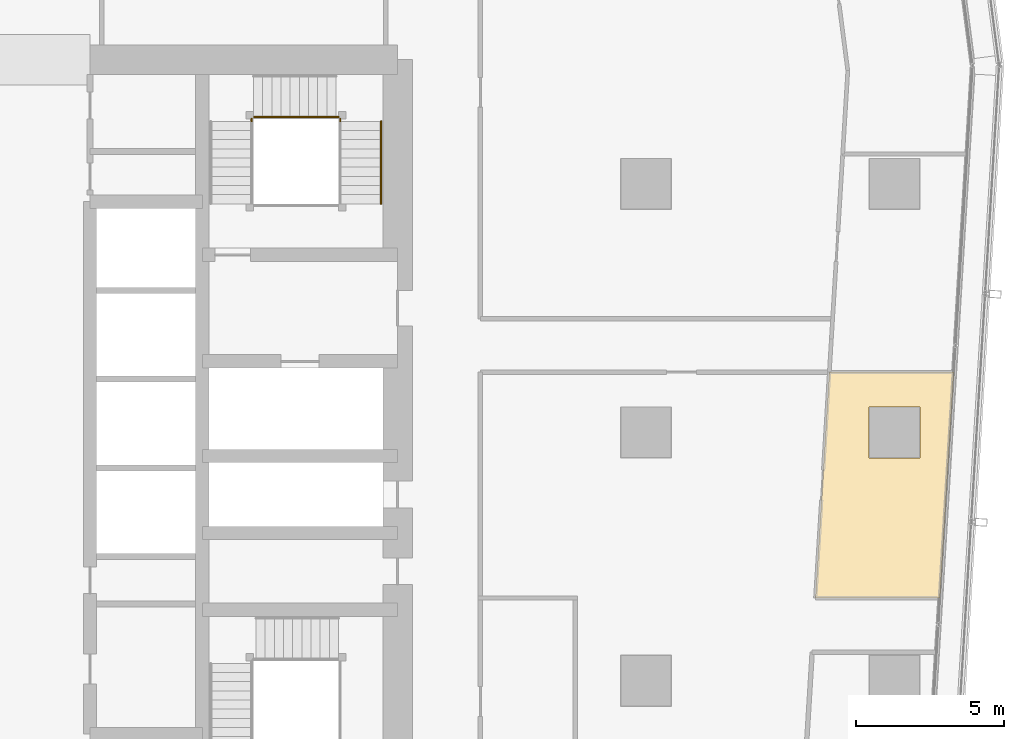
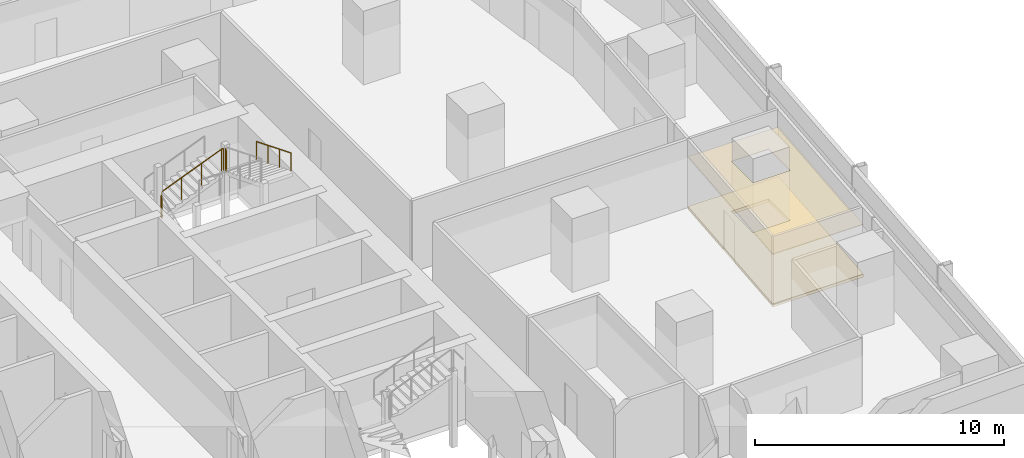
# One storey, part 39 of 40: 5 railings, 2 coverings.
"""IFC4 building model written with IfcOpenShell, lengths in metres."""

from ifc_helpers import new_model, si_unit, direction, frame, origin, origin_2d, place, context, subcontext, project, spatial, polyline, circle, outline, extrude, material, layer, layer_set, type_object, element, save


model = new_model("IFC4")

# Units and contexts
model_context = context("Model", 3, precision=1e-05, world=origin(), true_north=direction((0.0, 1.0)))
body_context = subcontext(model_context, "Body", "Model", "MODEL_VIEW")
ifc_project = project(units=[si_unit("LENGTHUNIT", "METRE"), si_unit("AREAUNIT", "SQUARE_METRE"), si_unit("VOLUMEUNIT", "CUBIC_METRE"), si_unit("PLANEANGLEUNIT", "RADIAN"), si_unit("MASSUNIT", "GRAM", prefix="KILO")], contexts=[model_context])

# Site, building, storey
site_placement = place(None, origin())
site = spatial("IfcSite", under=ifc_project, at=site_placement, CompositionType="ELEMENT")
building_placement = place(site_placement, origin())
building = spatial("IfcBuilding", under=site, at=building_placement, Name="Rekha Terrace Tower", CompositionType="ELEMENT")
storey_placement = place(building_placement, frame((0.0, 0.0, 121.550048828125)))
storey = spatial("IfcBuildingStorey", under=building, at=storey_placement, Name="L30", CompositionType="ELEMENT", Elevation=121.550048828125)

# Covering
ifc_material_1 = material(Name="Mineral fibre tile in exposed grid", Category="finish")
ifc_layer_1 = layer(ifc_material_1, 0.02001953125)
ifc_layer_set_1 = layer_set([ifc_layer_1], Name="Mineral fibre tile in exposed grid")
covering_type_1 = type_object("IfcCoveringType", Name="CL1 600x1200 office grid ceiling", PredefinedType="CEILING", material=ifc_layer_set_1)
covering_1_placement = place(storey_placement, frame((0.0, 0.0, 2.579833984375)))
element("IfcCovering", 1, at=covering_1_placement, inside=storey, type_object=covering_type_1, Name="Ceiling L30-02", PredefinedType="CEILING", context=body_context, shape_type="SweptSolid", body=[
    extrude(outline(polyline([(68.735107421875, 28.0009765625), (69.202880859375, 35.633056640625), (64.9951171875, 35.633056640625), (64.527099609375, 28.0009765625), (68.735107421875, 28.0009765625)]), holes=[polyline([(68.06494140625, 34.465087890625), (68.06494140625, 32.735107421875), (66.3349609375, 32.735107421875), (66.3349609375, 34.465087890625), (68.06494140625, 34.465087890625)])]), origin(), (0.0, 0.0, 1.0), 0.02001953125),
])

# Railings
ifc_material_2 = material(Name="Stainless steel balustrade", Category="steel")
railing_type_1 = type_object("IfcRailingType", Name="GR1 1100 stair guard", PredefinedType="GUARDRAIL", material=ifc_material_2)
railing_1_placement = place(storey_placement, frame((45.52490234375, 44.260009765625, 1.375)))
element("IfcRailing", 2, at=railing_1_placement, inside=storey, type_object=railing_type_1, Name="Guard ST2 L30 flight 2", PredefinedType="GUARDRAIL", context=body_context, shape_type="SweptSolid", body=[
    extrude(circle(Radius=0.02392578125, at=origin_2d()), frame((0.0, 0.0, 1.076171875), z_axis=(0.927443287984, 0.0, 0.373963831907), x_axis=(0.0, 1.0, 0.0)), (0.0, 0.0, 1.0), 3.00830078125),
    extrude(circle(Radius=0.02099609375, at=origin_2d()), origin(), (0.0, 0.0, 1.0), 1.052001953125),
    extrude(circle(Radius=0.02099609375, at=origin_2d()), frame((0.929931640625, 0.0, 0.375)), (0.0, 0.0, 1.0), 1.052001953125),
    extrude(circle(Radius=0.02099609375, at=origin_2d()), frame((1.860107421875, 0.0, 0.75)), (0.0, 0.0, 1.0), 1.052001953125),
    extrude(circle(Radius=0.02099609375, at=origin_2d()), frame((2.7900390625, 0.0, 1.125)), (0.0, 0.0, 1.0), 1.052001953125),
])
railing_2_placement = place(storey_placement, frame((45.465087890625, 44.114990234375, 1.25)))
element("IfcRailing", 3, at=railing_2_placement, inside=storey, type_object=railing_type_1, Name="Guard ST2 L30 landing 1", PredefinedType="GUARDRAIL", context=body_context, shape_type="SweptSolid", body=[
    extrude(circle(Radius=0.02392578125, at=origin_2d()), frame((0.0, 0.0, 1.076171875), z_axis=(0.0, 1.0, 0.0), x_axis=(-1.0, 0.0, 0.0)), (0.0, 0.0, 1.0), 0.0849609375),
    extrude(circle(Radius=0.02099609375, at=origin_2d()), origin(), (0.0, 0.0, 1.0), 1.052001953125),
    extrude(circle(Radius=0.02099609375, at=origin_2d()), frame((0.0, 0.0849609375, 0.0)), (0.0, 0.0, 1.0), 1.052001953125),
])
railing_3_placement = place(storey_placement, frame((48.31494140625, 44.260009765625, 2.5)))
element("IfcRailing", 4, at=railing_3_placement, inside=storey, type_object=railing_type_1, Name="Guard ST2 L30 landing 2", PredefinedType="GUARDRAIL", context=body_context, shape_type="SweptSolid", body=[
    extrude(circle(Radius=0.02392578125, at=origin_2d()), frame((0.0, 0.0, 1.076171875), z_axis=(1.0, 0.0, 0.0), x_axis=(0.0, 1.0, 0.0)), (0.0, 0.0, 1.0), 0.0849609375),
    extrude(circle(Radius=0.02099609375, at=origin_2d()), origin(), (0.0, 0.0, 1.0), 1.052001953125),
    extrude(circle(Radius=0.02099609375, at=origin_2d()), frame((0.0849609375, 0.0, 0.0)), (0.0, 0.0, 1.0), 1.052001953125),
])
railing_4_placement = place(storey_placement, frame((48.4599609375, 44.114990234375, 2.5)))
element("IfcRailing", 5, at=railing_4_placement, inside=storey, type_object=railing_type_1, Name="Guard ST2 L30 landing 3", PredefinedType="GUARDRAIL", context=body_context, shape_type="SweptSolid", body=[
    extrude(circle(Radius=0.02392578125, at=origin_2d()), frame((0.0, 0.0, 1.076171875), z_axis=(0.0, 1.0, 0.0), x_axis=(-1.0, 0.0, 0.0)), (0.0, 0.0, 1.0), 0.0849609375),
    extrude(circle(Radius=0.02099609375, at=origin_2d()), origin(), (0.0, 0.0, 1.0), 1.052001953125),
    extrude(circle(Radius=0.02099609375, at=origin_2d()), frame((0.0, 0.0849609375, 0.0)), (0.0, 0.0, 1.0), 1.052001953125),
])
ifc_material_3 = material(Name="Stainless steel tube", Category="steel")
railing_type_2 = type_object("IfcRailingType", Name="HR1 900 stair handrail", PredefinedType="HANDRAIL", material=ifc_material_3)
railing_5_placement = place(storey_placement, frame((49.840087890625, 44.114990234375, 2.625)))
element("IfcRailing", 6, at=railing_5_placement, inside=storey, type_object=railing_type_2, Name="Handrail ST2 L30 flight 3", PredefinedType="HANDRAIL", context=body_context, shape_type="SweptSolid", body=[
    extrude(circle(Radius=0.02392578125, at=origin_2d()), frame((0.0, 0.0, 0.8759765625), z_axis=(0.0, -0.927443287984, 0.373963831907), x_axis=(1.0, 0.0, 0.0)), (0.0, 0.0, 1.0), 3.00830078125),
    extrude(circle(Radius=0.02099609375, at=origin_2d()), origin(), (0.0, 0.0, 1.0), 0.851806640625),
    extrude(circle(Radius=0.02099609375, at=origin_2d()), frame((0.0, -0.929931640625, 0.375)), (0.0, 0.0, 1.0), 0.851806640625),
    extrude(circle(Radius=0.02099609375, at=origin_2d()), frame((0.0, -1.860107421875, 0.75)), (0.0, 0.0, 1.0), 0.851806640625),
    extrude(circle(Radius=0.02099609375, at=origin_2d()), frame((0.0, -2.7900390625, 1.125)), (0.0, 0.0, 1.0), 0.851806640625),
])

# Covering
ifc_material_4 = material(Name="Calcium sulphate panels on steel pedestals", Category="steel")
ifc_layer_2 = layer(ifc_material_4, 0.14990234375)
ifc_layer_set_2 = layer_set([ifc_layer_2], Name="Calcium sulphate panels on steel pedestals")
covering_type_2 = type_object("IfcCoveringType", Name="RF1 150 raised access floor", PredefinedType="FLOORING", material=ifc_layer_set_2)
covering_2_placement = place(storey_placement, origin())
element("IfcCovering", 7, at=covering_2_placement, inside=storey, type_object=covering_type_2, Name="Raised floor L30-02", PredefinedType="FLOORING", context=body_context, shape_type="SweptSolid", body=[
    extrude(outline(polyline([(68.735107421875, 28.0009765625), (69.202880859375, 35.633056640625), (64.9951171875, 35.633056640625), (64.527099609375, 28.0009765625), (68.735107421875, 28.0009765625)]), holes=[polyline([(68.06494140625, 34.465087890625), (68.06494140625, 32.735107421875), (66.3349609375, 32.735107421875), (66.3349609375, 34.465087890625), (68.06494140625, 34.465087890625)])]), origin(), (0.0, 0.0, 1.0), 0.14990234375),
])

save(model, "model.ifc")
